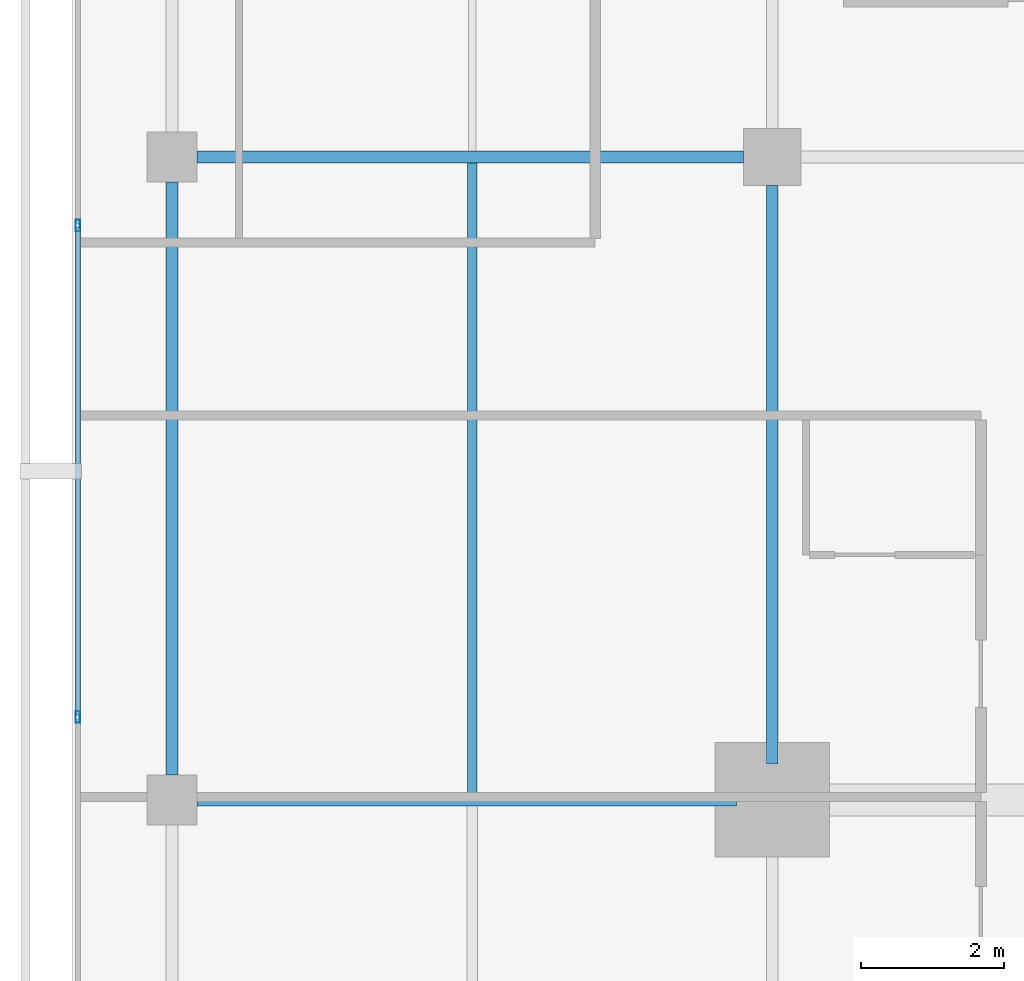
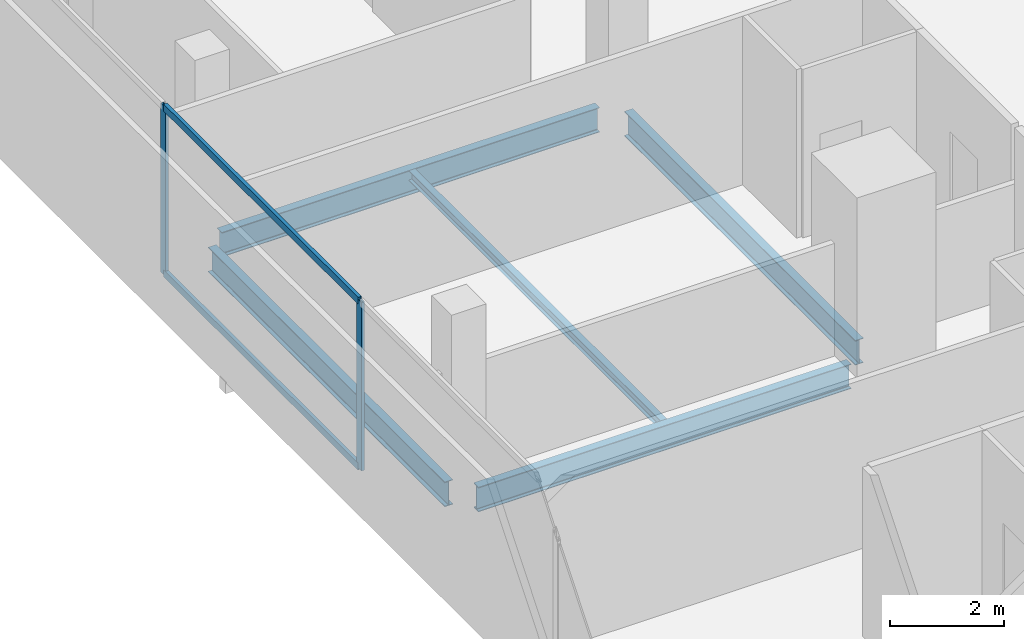
# One storey, part 8 of 25: 5 beams, 4 members, 1 element without a shape of its own.
"""IFC4 building model written with IfcOpenShell, lengths in metres."""

from ifc_helpers import new_model, si_unit, direction, frame, origin, origin_2d, place, context, subcontext, project, spatial, hollow_rectangle, i_section, extrude, material, layer, layer_set, material_profile, profile_set, type_object, element, aggregate, save


model = new_model("IFC4")

# Units and contexts
model_context = context("Model", 3, precision=1e-05, world=origin(), true_north=direction((0.0, 1.0)))
body_context = subcontext(model_context, "Body", "Model", "MODEL_VIEW")
ifc_project = project(units=[si_unit("LENGTHUNIT", "METRE"), si_unit("AREAUNIT", "SQUARE_METRE"), si_unit("VOLUMEUNIT", "CUBIC_METRE"), si_unit("PLANEANGLEUNIT", "RADIAN"), si_unit("MASSUNIT", "GRAM", prefix="KILO")], contexts=[model_context])

# Site, building, storey
site_placement = place(None, origin())
site = spatial("IfcSite", under=ifc_project, at=site_placement, CompositionType="ELEMENT")
building_placement = place(site_placement, origin())
building = spatial("IfcBuilding", under=site, at=building_placement, Name="Maruvema Waterfront Hotel and Observation Tower", CompositionType="ELEMENT")
storey_placement = place(building_placement, frame((0.0, 0.0, 308.699951171875)))
storey = spatial("IfcBuildingStorey", under=building, at=storey_placement, Name="L76", CompositionType="ELEMENT", Elevation=308.699951171875)

# Curtain wall, members
ifc_material_1 = material(Name="Anodised bronze aluminium and solar-control low-E IGU", Category="aluminium")
ifc_layer = layer(ifc_material_1, 0.159912109375, Name="Zone 3 Champagne Inner Thermal Curtain Wall System CW-04")
ifc_layer_set = layer_set([ifc_layer], Name="Anodised bronze aluminium and solar-control low-E IGU")
curtain_wall_type = type_object("IfcCurtainWallType", Name="Zone 3 Champagne Inner Thermal Curtain Wall System CW-04", PredefinedType="USERDEFINED", material=ifc_layer_set)
curtain_wall_placement = place(storey_placement, origin())
curtain_wall = element("IfcCurtainWall", 1, at=curtain_wall_placement, inside=storey, type_object=curtain_wall_type, Name="L76 Curtain Wall CW-L76-W", ObjectType="UNITISED CURTAIN WALL", PredefinedType="USERDEFINED")
ifc_material_2 = material(Name="Anodised architectural bronze aluminium", Category="aluminium")
ifc_material_profile_1 = material_profile(ifc_material_2, hollow_rectangle(XDim=0.070068359375, YDim=0.14990234375, WallThickness=0.00390625, at=origin_2d()), Name="ALU-T70x150")
ifc_profile_set_1 = profile_set([ifc_material_profile_1], Name="Anodised architectural bronze aluminium")
member_type_1 = type_object("IfcMemberType", Name="Curtain Wall Horizontal Transom ALU-T70x150", PredefinedType="USERDEFINED", material=ifc_profile_set_1)
member_1_placement = place(storey_placement, frame((15.47998046875, 35.010009765625, 0.030029296875), z_axis=(0.0, -1.0, 0.0), x_axis=(1.0, 0.0, 0.0)))
member_1 = element("IfcMember", 2, at=member_1_placement, type_object=member_type_1, Name="CW-04 transom 3.1", ObjectType="TRANSOM", PredefinedType="USERDEFINED", context=body_context, shape_type="SweptSolid", body=[
    extrude(hollow_rectangle(XDim=0.070068359375, YDim=0.14990234375, WallThickness=0.00390625, at=origin_2d()), origin(), (0.0, 0.0, 1.0), 6.820068359375),
])
member_2_placement = place(storey_placement, frame((15.47998046875, 35.010009765625, 3.580078125), z_axis=(0.0, -1.0, 0.0), x_axis=(1.0, 0.0, 0.0)))
member_2 = element("IfcMember", 3, at=member_2_placement, type_object=member_type_1, Name="CW-04 transom 3.2", ObjectType="TRANSOM", PredefinedType="USERDEFINED", context=body_context, shape_type="SweptSolid", body=[
    extrude(hollow_rectangle(XDim=0.070068359375, YDim=0.14990234375, WallThickness=0.00390625, at=origin_2d()), origin(), (0.0, 0.0, 1.0), 6.820068359375),
])
ifc_material_3 = material(Name="Anodised architectural bronze aluminium", Category="aluminium")
ifc_material_profile_2 = material_profile(ifc_material_3, hollow_rectangle(XDim=0.06494140625, YDim=0.1650390625, WallThickness=0.00390625, at=origin_2d()), Name="ALU-M65x165")
ifc_profile_set_2 = profile_set([ifc_material_profile_2], Name="Anodised architectural bronze aluminium")
member_type_2 = type_object("IfcMemberType", Name="Curtain Wall Primary Mullion ALU-M65x165", PredefinedType="MULLION", material=ifc_profile_set_2)
member_3_placement = place(storey_placement, frame((15.47998046875, 35.0400390625, 0.0), z_axis=(0.0, 0.0, 1.0), x_axis=(1.0, 0.0, 0.0)))
member_3 = element("IfcMember", 4, at=member_3_placement, type_object=member_type_2, Name="CW-04 mullion 3", PredefinedType="MULLION", context=body_context, shape_type="SweptSolid", body=[
    extrude(hollow_rectangle(XDim=0.06494140625, YDim=0.1650390625, WallThickness=0.00390625, at=origin_2d()), origin(), (0.0, 0.0, 1.0), 3.610107421875),
])
member_4_placement = place(storey_placement, frame((15.47998046875, 28.159912109375, 0.0), z_axis=(0.0, 0.0, 1.0), x_axis=(1.0, 0.0, 0.0)))
member_4 = element("IfcMember", 5, at=member_4_placement, type_object=member_type_2, Name="CW-04 mullion 4", PredefinedType="MULLION", context=body_context, shape_type="SweptSolid", body=[
    extrude(hollow_rectangle(XDim=0.06494140625, YDim=0.1650390625, WallThickness=0.00390625, at=origin_2d()), origin(), (0.0, 0.0, 1.0), 3.610107421875),
])
aggregate(curtain_wall, [member_3, member_4, member_1, member_2])

# Beams
ifc_material_4 = material(Name="Steel ASTM A572 Grade 50", Category="steel")
ifc_material_profile_3 = material_profile(ifc_material_4, i_section(OverallWidth=0.166015625, OverallDepth=0.529052734375, WebThickness=0.009765625, FlangeThickness=0.013671875, FilletRadius=0.014892578125, at=origin_2d()), Name="W530x74.0")
ifc_profile_set_3 = profile_set([ifc_material_profile_3], Name="Steel ASTM A572 Grade 50")
beam_type_1 = type_object("IfcBeamType", Name="Primary Floor Girder W530x74.0", PredefinedType="BEAM", material=ifc_profile_set_3)
beam_1_placement = place(storey_placement, frame((17.14990234375, 27.0, -0.50439453125), z_axis=(1.0, 0.0, 0.0), x_axis=(0.0, 1.0, 0.0)))
element("IfcBeam", 6, at=beam_1_placement, inside=storey, type_object=beam_type_1, Name="L76 Floor Girder EW-09", PredefinedType="BEAM", context=body_context, shape_type="SweptSolid", body=[
    extrude(i_section(OverallWidth=0.166015625, OverallDepth=0.529052734375, WebThickness=0.009765625, FlangeThickness=0.013671875, FilletRadius=0.014892578125, at=origin_2d()), origin(), (0.0, 0.0, 1.0), 7.550048828125),
])
beam_2_placement = place(storey_placement, frame((17.14990234375, 36.0, -0.50439453125), z_axis=(1.0, 0.0, 0.0), x_axis=(0.0, 1.0, 0.0)))
element("IfcBeam", 7, at=beam_2_placement, inside=storey, type_object=beam_type_1, Name="L76 Floor Girder EW-12", PredefinedType="BEAM", context=body_context, shape_type="SweptSolid", body=[
    extrude(i_section(OverallWidth=0.166015625, OverallDepth=0.529052734375, WebThickness=0.009765625, FlangeThickness=0.013671875, FilletRadius=0.014892578125, at=origin_2d()), origin(), (0.0, 0.0, 1.0), 7.650146484375),
])
beam_3_placement = place(storey_placement, frame((16.800048828125, 27.35009765625, -0.50439453125), z_axis=(0.0, 1.0, 0.0), x_axis=(-1.0, 0.0, 0.0)))
element("IfcBeam", 8, at=beam_3_placement, inside=storey, type_object=beam_type_1, Name="L76 Floor Girder NS-02", PredefinedType="BEAM", context=body_context, shape_type="SweptSolid", body=[
    extrude(i_section(OverallWidth=0.166015625, OverallDepth=0.529052734375, WebThickness=0.009765625, FlangeThickness=0.013671875, FilletRadius=0.014892578125, at=origin_2d()), origin(), (0.0, 0.0, 1.0), 8.2998046875),
])
beam_4_placement = place(storey_placement, frame((25.199951171875, 27.5, -0.50439453125), z_axis=(0.0, 1.0, 0.0), x_axis=(-1.0, 0.0, 0.0)))
element("IfcBeam", 9, at=beam_4_placement, inside=storey, type_object=beam_type_1, Name="L76 Floor Girder NS-06", PredefinedType="BEAM", context=body_context, shape_type="SweptSolid", body=[
    extrude(i_section(OverallWidth=0.166015625, OverallDepth=0.529052734375, WebThickness=0.009765625, FlangeThickness=0.013671875, FilletRadius=0.014892578125, at=origin_2d()), origin(), (0.0, 0.0, 1.0), 8.10009765625),
])
ifc_material_5 = material(Name="Steel ASTM A572 Grade 50", Category="steel")
ifc_material_profile_4 = material_profile(ifc_material_5, i_section(OverallWidth=0.133056640625, OverallDepth=0.20703125, WebThickness=0.005859375, FlangeThickness=0.00830078125, FilletRadius=0.010009765625, at=origin_2d()), Name="W200x26.6")
ifc_profile_set_4 = profile_set([ifc_material_profile_4], Name="Steel ASTM A572 Grade 50")
beam_type_2 = type_object("IfcBeamType", Name="Secondary Floor Joist W200x26.6", PredefinedType="JOIST", material=ifc_profile_set_4)
beam_5_placement = place(storey_placement, frame((21.0, 27.0830078125, -0.343505859375), z_axis=(0.0, 1.0, 0.0), x_axis=(-1.0, 0.0, 0.0)))
element("IfcBeam", 10, at=beam_5_placement, inside=storey, type_object=beam_type_2, Name="L76 Secondary Floor Joist JS-02", PredefinedType="JOIST", context=body_context, shape_type="SweptSolid", body=[
    extrude(i_section(OverallWidth=0.133056640625, OverallDepth=0.20703125, WebThickness=0.005859375, FlangeThickness=0.00830078125, FilletRadius=0.010009765625, at=origin_2d()), origin(), (0.0, 0.0, 1.0), 8.833984375),
])

save(model, "model.ifc")
